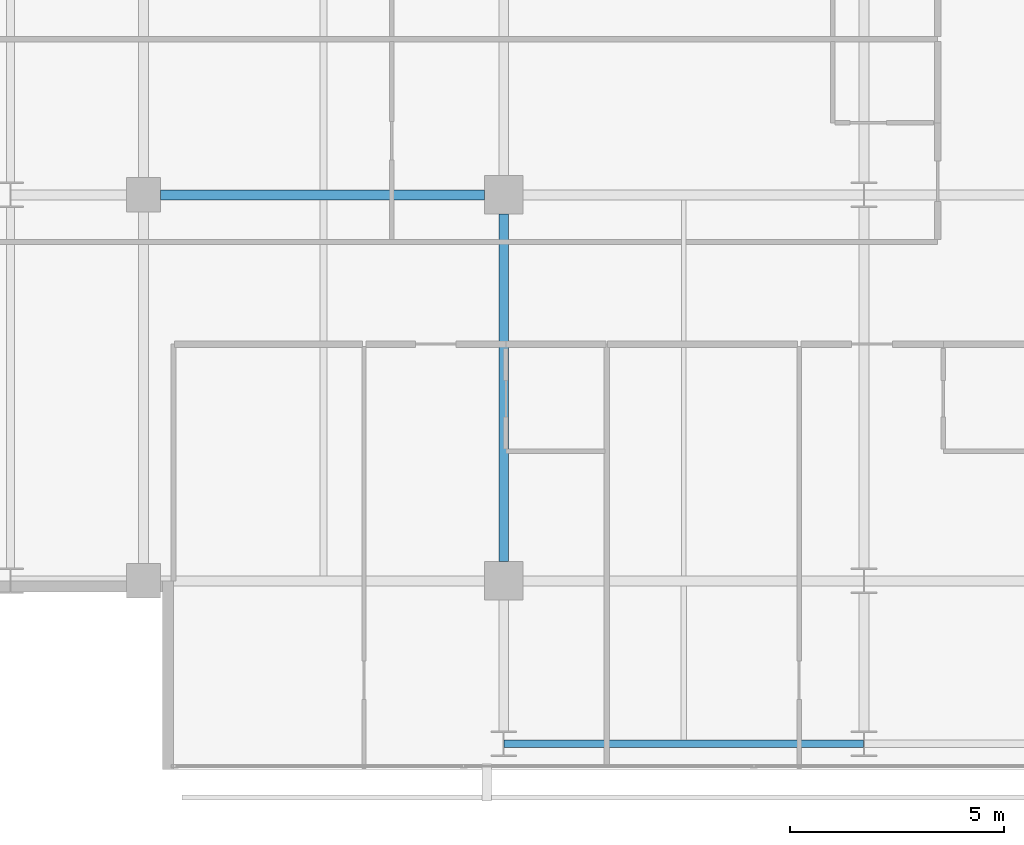
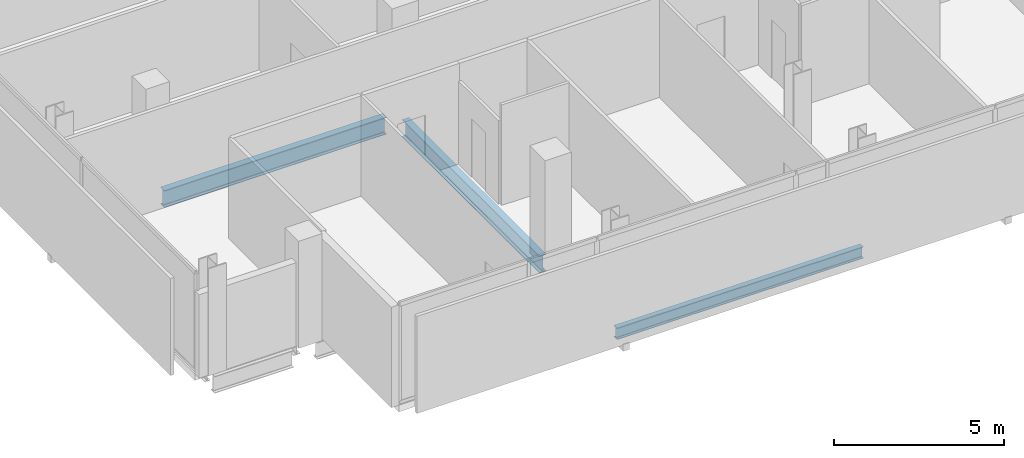
# One storey, part 5 of 33: 3 beams.
"""IFC4 building model written with IfcOpenShell, lengths in metres."""

from ifc_helpers import new_model, si_unit, direction, frame, origin, origin_2d, place, context, subcontext, project, spatial, i_section, extrude, material, material_profile, profile_set, type_object, element, save


model = new_model("IFC4")

# Units and contexts
model_context = context("Model", 3, precision=1e-05, world=origin(), true_north=direction((0.0, 1.0)))
body_context = subcontext(model_context, "Body", "Model", "MODEL_VIEW")
ifc_project = project(units=[si_unit("LENGTHUNIT", "METRE"), si_unit("AREAUNIT", "SQUARE_METRE"), si_unit("VOLUMEUNIT", "CUBIC_METRE"), si_unit("PLANEANGLEUNIT", "RADIAN"), si_unit("MASSUNIT", "GRAM", prefix="KILO")], contexts=[model_context])

# Site, building, storey
site_placement = place(None, origin())
site = spatial("IfcSite", under=ifc_project, at=site_placement, CompositionType="ELEMENT")
building_placement = place(site_placement, origin())
building = spatial("IfcBuilding", under=site, at=building_placement, Name="Maruvema Waterfront Hotel and Observation Tower", CompositionType="ELEMENT")
storey_placement = place(building_placement, frame((0.0, 0.0, 138.949951171875)))
storey = spatial("IfcBuildingStorey", under=building, at=storey_placement, Name="L33", CompositionType="ELEMENT", Elevation=138.949951171875)

# Beams
ifc_material_1 = material(Name="Steel ASTM A572 Grade 50", Category="steel")
ifc_material_profile_1 = material_profile(ifc_material_1, i_section(OverallWidth=0.180908203125, OverallDepth=0.4169921875, WebThickness=0.010986328125, FlangeThickness=0.018310546875, FilletRadius=0.014892578125, at=origin_2d()), Name="W410x85.0")
ifc_profile_set_1 = profile_set([ifc_material_profile_1], Name="Steel ASTM A572 Grade 50")
beam_type_1 = type_object("IfcBeamType", Name="Perimeter Spandrel Beam W410x85.0", PredefinedType="SPANDREL", material=ifc_profile_set_1)
beam_1_placement = place(storey_placement, frame((25.21240234375, 5.199951171875, -0.448486328125), z_axis=(1.0, 0.0, 0.0), x_axis=(0.0, 1.0, 0.0)))
element("IfcBeam", 1, at=beam_1_placement, inside=storey, type_object=beam_type_1, Name="L33 Floor Girder EW-01", PredefinedType="SPANDREL", context=body_context, shape_type="SweptSolid", body=[
    extrude(i_section(OverallWidth=0.180908203125, OverallDepth=0.4169921875, WebThickness=0.010986328125, FlangeThickness=0.018310546875, FilletRadius=0.014892578125, at=origin_2d()), origin(), (0.0, 0.0, 1.0), 8.375),
])
ifc_material_2 = material(Name="Steel ASTM A572 Grade 50", Category="steel")
ifc_material_profile_2 = material_profile(ifc_material_2, i_section(OverallWidth=0.22900390625, OverallDepth=0.612060546875, WebThickness=0.011962890625, FlangeThickness=0.01953125, FilletRadius=0.01806640625, at=origin_2d()), Name="W610x125.0")
ifc_profile_set_2 = profile_set([ifc_material_profile_2], Name="Steel ASTM A572 Grade 50")
beam_type_2 = type_object("IfcBeamType", Name="Primary Floor Girder W610x125.0", PredefinedType="BEAM", material=ifc_profile_set_2)
beam_2_placement = place(storey_placement, frame((17.199951171875, 18.0, -0.5458984375), z_axis=(1.0, 0.0, 0.0), x_axis=(0.0, 1.0, 0.0)))
element("IfcBeam", 2, at=beam_2_placement, inside=storey, type_object=beam_type_2, Name="L33 Floor Girder EW-12", PredefinedType="BEAM", context=body_context, shape_type="SweptSolid", body=[
    extrude(i_section(OverallWidth=0.22900390625, OverallDepth=0.612060546875, WebThickness=0.011962890625, FlangeThickness=0.01953125, FilletRadius=0.01806640625, at=origin_2d()), origin(), (0.0, 0.0, 1.0), 7.550048828125),
])
beam_3_placement = place(storey_placement, frame((25.199951171875, 9.449951171875, -0.5458984375), z_axis=(0.0, 1.0, 0.0), x_axis=(-1.0, 0.0, 0.0)))
element("IfcBeam", 3, at=beam_3_placement, inside=storey, type_object=beam_type_2, Name="L33 Floor Girder NS-10", PredefinedType="BEAM", context=body_context, shape_type="SweptSolid", body=[
    extrude(i_section(OverallWidth=0.22900390625, OverallDepth=0.612060546875, WebThickness=0.011962890625, FlangeThickness=0.01953125, FilletRadius=0.01806640625, at=origin_2d()), origin(), (0.0, 0.0, 1.0), 8.10009765625),
])

save(model, "model.ifc")
